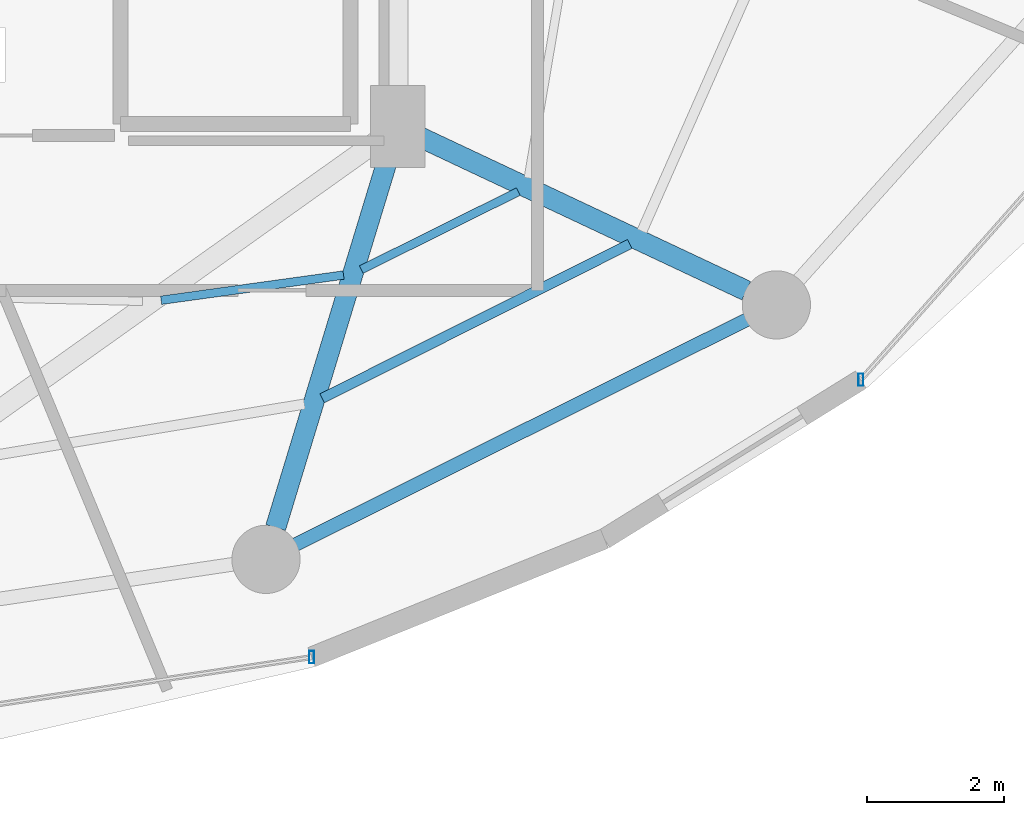
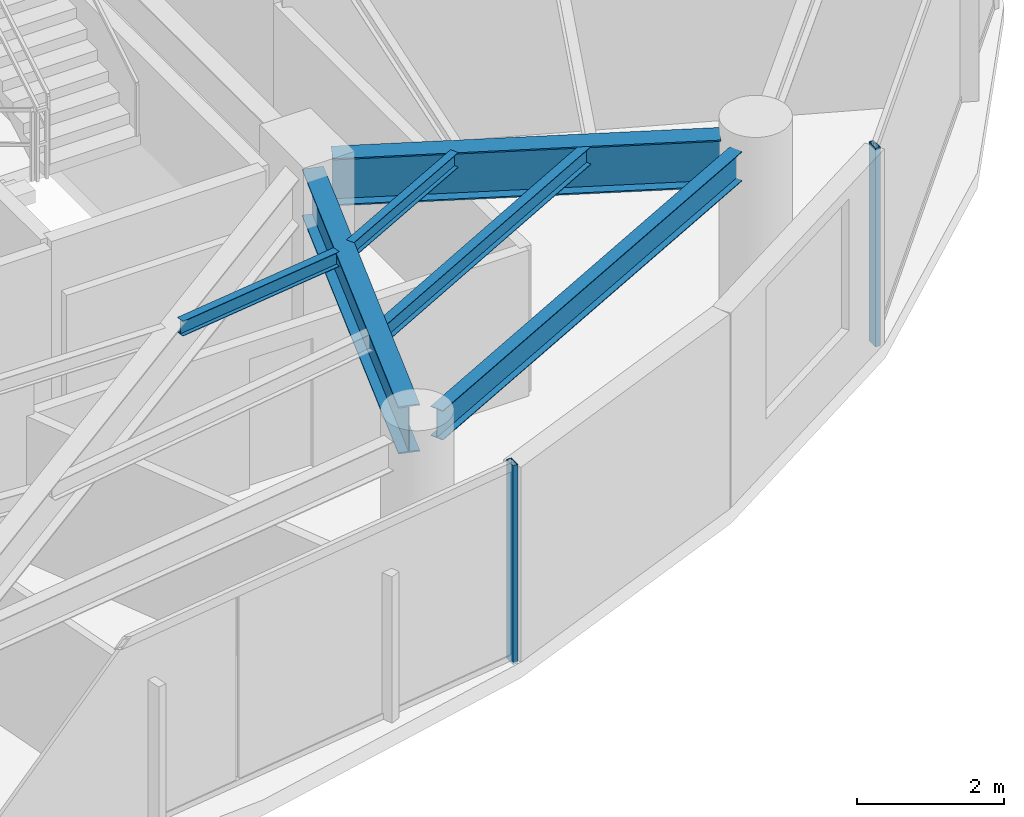
# One storey, part 10 of 28: 6 beams, 2 members, 2 elements without a shape of their own.
"""IFC4 building model written with IfcOpenShell, lengths in metres."""

from ifc_helpers import new_model, si_unit, direction, frame, origin, origin_2d, place, context, subcontext, project, spatial, hollow_rectangle, i_section, extrude, material, material_profile, profile_set, type_object, element, aggregate, save


model = new_model("IFC4")

# Units and contexts
model_context = context("Model", 3, precision=1e-05, world=origin(), true_north=direction((0.0, 1.0)))
body_context = subcontext(model_context, "Body", "Model", "MODEL_VIEW")
ifc_project = project(units=[si_unit("LENGTHUNIT", "METRE"), si_unit("AREAUNIT", "SQUARE_METRE"), si_unit("VOLUMEUNIT", "CUBIC_METRE"), si_unit("PLANEANGLEUNIT", "RADIAN"), si_unit("MASSUNIT", "GRAM", prefix="KILO")], contexts=[model_context])

# Site, building, storey
site_placement = place(None, origin())
site = spatial("IfcSite", under=ifc_project, at=site_placement, CompositionType="ELEMENT")
building_placement = place(site_placement, origin())
building = spatial("IfcBuilding", under=site, at=building_placement, Name="Vorneva Point Tower", CompositionType="ELEMENT")
storey_placement = place(building_placement, frame((0.0, 0.0, 139.60009765625)))
storey = spatial("IfcBuildingStorey", under=building, at=storey_placement, Name="L37", CompositionType="ELEMENT", Elevation=139.60009765625)

# Beams
ifc_material_1 = material(Name="Steel S355", Category="steel")
ifc_material_profile_1 = material_profile(ifc_material_1, i_section(OverallWidth=0.300048828125, OverallDepth=0.7880859375, WebThickness=0.014404296875, FlangeThickness=0.02197265625, at=origin_2d()), Name="80Sh1")
ifc_profile_set_1 = profile_set([ifc_material_profile_1], Name="Steel S355")
beam_type_1 = type_object("IfcBeamType", Name="BM-GRD-80Sh1", PredefinedType="USERDEFINED", material=ifc_profile_set_1)
beam_1_placement = place(storey_placement, frame((46.962890625, 10.576171875, 2.845947265625), z_axis=(0.291049382966, 0.95670803105, 0.0), x_axis=(-0.95670803105, 0.291049382966, 0.0)))
element("IfcBeam", 1, at=beam_1_placement, inside=storey, type_object=beam_type_1, Name="L37 Radial Primary Girder 14", ObjectType="GIRDER", PredefinedType="USERDEFINED", context=body_context, shape_type="SweptSolid", body=[
    extrude(i_section(OverallWidth=0.300048828125, OverallDepth=0.7880859375, WebThickness=0.014404296875, FlangeThickness=0.02197265625, at=origin_2d()), origin(), (0.0, 0.0, 1.0), 5.799560546875),
])
beam_2_placement = place(storey_placement, frame((53.857421875, 14.045654296875, 2.845947265625), z_axis=(-0.904761331435, 0.425918927896, 0.0), x_axis=(-0.425918927896, -0.904761331435, 0.0)))
element("IfcBeam", 2, at=beam_2_placement, inside=storey, type_object=beam_type_1, Name="L37 Radial Primary Girder 15", ObjectType="GIRDER", PredefinedType="USERDEFINED", context=body_context, shape_type="SweptSolid", body=[
    extrude(i_section(OverallWidth=0.300048828125, OverallDepth=0.7880859375, WebThickness=0.014404296875, FlangeThickness=0.02197265625, at=origin_2d()), origin(), (0.0, 0.0, 1.0), 5.304931640625),
])
ifc_material_profile_2 = material_profile(ifc_material_1, i_section(OverallWidth=0.1240234375, OverallDepth=0.248046875, WebThickness=0.0048828125, FlangeThickness=0.008056640625, at=origin_2d()), Name="25B1")
ifc_profile_set_2 = profile_set([ifc_material_profile_2], Name="Steel S355")
beam_type_2 = type_object("IfcBeamType", Name="BM-JST-25B1", PredefinedType="JOIST", material=ifc_profile_set_2)
beam_3_placement = place(storey_placement, frame((45.284912109375, 13.90576171875, 3.115966796875), z_axis=(0.990594076533, 0.136833386051, 0.0), x_axis=(-0.136833386051, 0.990594076533, 0.0)))
element("IfcBeam", 3, at=beam_3_placement, inside=storey, type_object=beam_type_2, Name="L37 Secondary Floor Beam 2.13", PredefinedType="JOIST", context=body_context, shape_type="SweptSolid", body=[
    extrude(i_section(OverallWidth=0.1240234375, OverallDepth=0.248046875, WebThickness=0.0048828125, FlangeThickness=0.008056640625, at=origin_2d()), origin(), (0.0, 0.0, 1.0), 2.69775390625),
])
beam_4_placement = place(storey_placement, frame((48.217529296875, 14.35498046875, 3.115966796875), z_axis=(0.895489131745, 0.445083379746, 0.0), x_axis=(-0.445083379746, 0.895489131745, 0.0)))
element("IfcBeam", 4, at=beam_4_placement, inside=storey, type_object=beam_type_2, Name="L37 Secondary Floor Beam 2.14", PredefinedType="JOIST", context=body_context, shape_type="SweptSolid", body=[
    extrude(i_section(OverallWidth=0.1240234375, OverallDepth=0.248046875, WebThickness=0.0048828125, FlangeThickness=0.008056640625, at=origin_2d()), origin(), (0.0, 0.0, 1.0), 2.56884765625),
])
ifc_material_profile_3 = material_profile(ifc_material_1, i_section(OverallWidth=0.14892578125, OverallDepth=0.298095703125, WebThickness=0.005615234375, FlangeThickness=0.008056640625, at=origin_2d()), Name="30B1")
ifc_profile_set_3 = profile_set([ifc_material_profile_3], Name="Steel S355")
beam_type_3 = type_object("IfcBeamType", Name="BM-JST-30B1", PredefinedType="JOIST", material=ifc_profile_set_3)
beam_5_placement = place(storey_placement, frame((47.643310546875, 12.468994140625, 3.0908203125), z_axis=(0.893855059999, 0.448356032316, 0.0), x_axis=(-0.448356032316, 0.893855059999, 0.0)))
element("IfcBeam", 5, at=beam_5_placement, inside=storey, type_object=beam_type_3, Name="L37 Secondary Floor Beam 1.14", PredefinedType="JOIST", context=body_context, shape_type="SweptSolid", body=[
    extrude(i_section(OverallWidth=0.14892578125, OverallDepth=0.298095703125, WebThickness=0.005615234375, FlangeThickness=0.008056640625, at=origin_2d()), origin(), (0.0, 0.0, 1.0), 5.041748046875),
])
ifc_material_profile_4 = material_profile(ifc_material_1, i_section(OverallWidth=0.199951171875, OverallDepth=0.491943359375, WebThickness=0.0087890625, FlangeThickness=0.011962890625, at=origin_2d()), Name="50B1")
ifc_profile_set_4 = profile_set([ifc_material_profile_4], Name="Steel S355")
beam_type_4 = type_object("IfcBeamType", Name="BM-SPN-50B1", PredefinedType="SPANDREL", material=ifc_profile_set_4)
beam_6_placement = place(storey_placement, frame((47.2548828125, 10.32568359375, 2.993896484375), z_axis=(0.894929061397, 0.446208443518, 0.0), x_axis=(-0.446208443518, 0.894929061397, 0.0)))
element("IfcBeam", 6, at=beam_6_placement, inside=storey, type_object=beam_type_4, Name="L37 Perimeter Spandrel Ring Beam 14", PredefinedType="SPANDREL", context=body_context, shape_type="SweptSolid", body=[
    extrude(i_section(OverallWidth=0.199951171875, OverallDepth=0.491943359375, WebThickness=0.0087890625, FlangeThickness=0.011962890625, at=origin_2d()), origin(), (0.0, 0.0, 1.0), 7.385986328125),
])

# Curtain wall, member
ifc_material_2 = material(Name="Pale anodised aluminium", Category="aluminium")
curtain_wall_type = type_object("IfcCurtainWallType", Name="CW-RES-SYS", PredefinedType="NOTDEFINED", material=ifc_material_2)
curtain_wall_1_placement = place(storey_placement, origin())
curtain_wall_1 = element("IfcCurtainWall", 7, at=curtain_wall_1_placement, inside=storey, type_object=curtain_wall_type, Name="L37 Unitised Curtain Wall CW-L37-R03", PredefinedType="NOTDEFINED")
ifc_material_profile_5 = material_profile(ifc_material_2, hollow_rectangle(XDim=0.074951171875, YDim=0.179931640625, WallThickness=0.00390625, at=origin_2d()), Name="AL-MUL 180x75x4")
ifc_profile_set_5 = profile_set([ifc_material_profile_5], Name="Pale anodised aluminium")
member_type = type_object("IfcMemberType", Name="CW-MUL-180", PredefinedType="MULLION", material=ifc_profile_set_5)
member_1_placement = place(storey_placement, frame((47.490478515625, 8.67724609375, -0.0400390625), z_axis=(0.0, 0.0, 1.0), x_axis=(1.0, 0.0, 0.0)))
member_1 = element("IfcMember", 8, at=member_1_placement, type_object=member_type, Name="CW-L37-R03 Mullion 02", PredefinedType="MULLION", context=body_context, shape_type="SweptSolid", body=[
    extrude(hollow_rectangle(XDim=0.074951171875, YDim=0.179931640625, WallThickness=0.00390625, at=origin_2d()), origin(), (0.0, 0.0, 1.0), 3.31005859375),
])
aggregate(curtain_wall_1, [member_1])

curtain_wall_2_placement = place(storey_placement, origin())
curtain_wall_2 = element("IfcCurtainWall", 9, at=curtain_wall_2_placement, inside=storey, type_object=curtain_wall_type, Name="L37 Unitised Curtain Wall CW-L37-R04", PredefinedType="NOTDEFINED")
member_2_placement = place(storey_placement, frame((55.5361328125, 12.74169921875, -0.0400390625), z_axis=(0.0, 0.0, 1.0), x_axis=(1.0, 0.0, 0.0)))
member_2 = element("IfcMember", 10, at=member_2_placement, type_object=member_type, Name="CW-L37-R04 Mullion 01", PredefinedType="MULLION", context=body_context, shape_type="SweptSolid", body=[
    extrude(hollow_rectangle(XDim=0.074951171875, YDim=0.179931640625, WallThickness=0.00390625, at=origin_2d()), origin(), (0.0, 0.0, 1.0), 3.31005859375),
])
aggregate(curtain_wall_2, [member_2])

save(model, "model.ifc")
